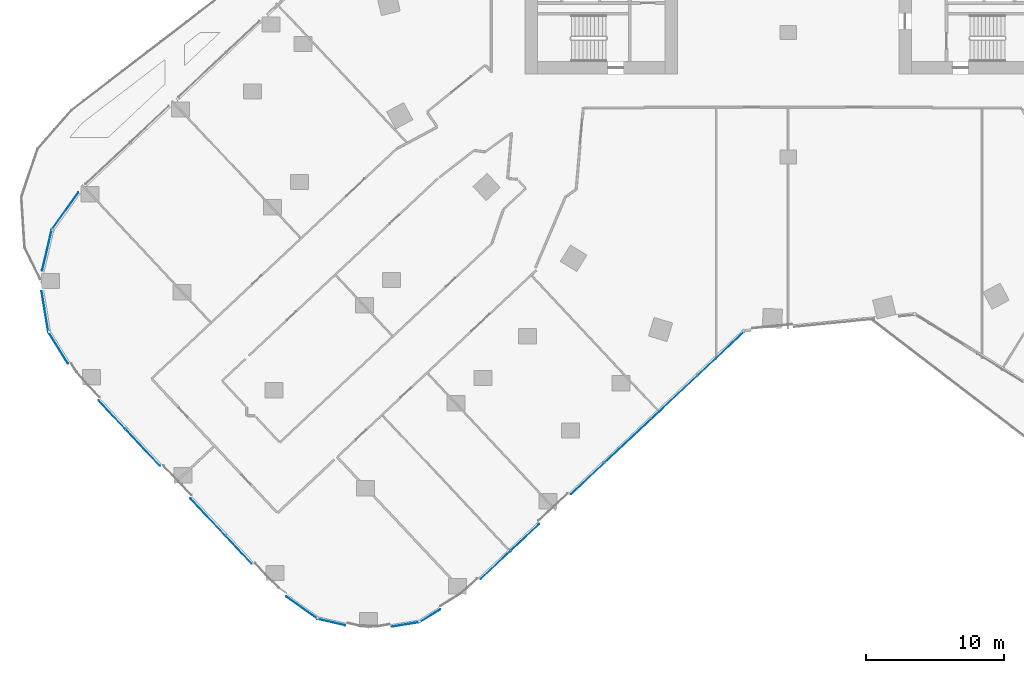
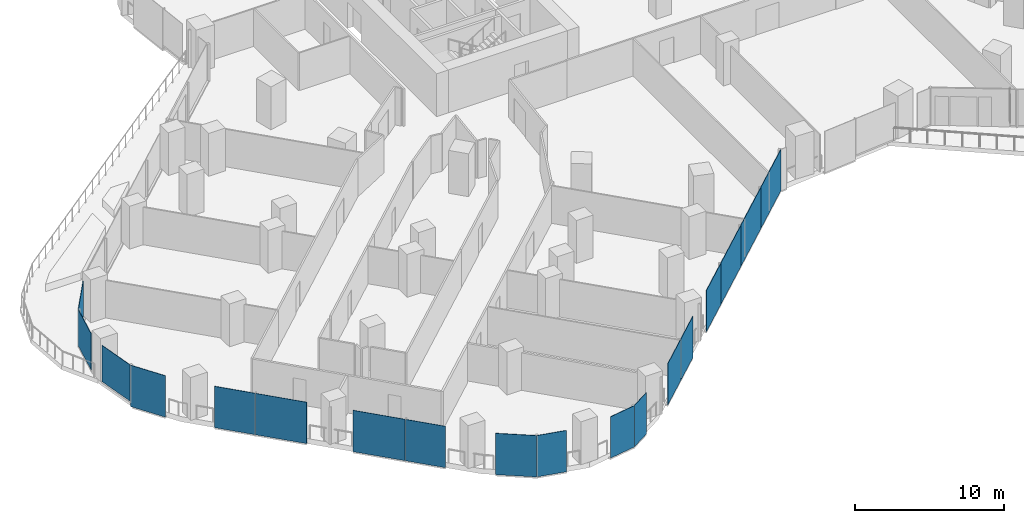
# One storey, part 16 of 34: 18 plates, 10 elements without a shape of their own.
"""IFC4 building model written with IfcOpenShell, lengths in metres."""

from ifc_helpers import new_model, si_unit, direction, frame, origin, origin_2d, place, context, subcontext, project, spatial, rectangle, extrude, material, layer, layer_set, type_object, element, aggregate, save


model = new_model("IFC4")

# Units and contexts
model_context = context("Model", 3, precision=1e-05, world=origin(), true_north=direction((0.0, 1.0)))
body_context = subcontext(model_context, "Body", "Model", "MODEL_VIEW")
ifc_project = project(units=[si_unit("LENGTHUNIT", "METRE"), si_unit("AREAUNIT", "SQUARE_METRE"), si_unit("VOLUMEUNIT", "CUBIC_METRE"), si_unit("PLANEANGLEUNIT", "RADIAN"), si_unit("MASSUNIT", "GRAM", prefix="KILO")], contexts=[model_context])

# Site, building, storey
site_placement = place(None, origin())
site = spatial("IfcSite", under=ifc_project, at=site_placement, CompositionType="ELEMENT")
building_placement = place(site_placement, origin())
building = spatial("IfcBuilding", under=site, at=building_placement, Name="Orlundy Tower", CompositionType="ELEMENT")
storey_placement = place(building_placement, frame((0.0, 0.0, 37.300048828125)))
storey = spatial("IfcBuildingStorey", under=building, at=storey_placement, Name="L07", CompositionType="ELEMENT", Elevation=37.300048828125)

# Curtain wall, plates
ifc_material_1 = material(Name="Aluminium bronze anodised", Category="aluminium")
curtain_wall_type = type_object("IfcCurtainWallType", Name="CW1 wall", PredefinedType="NOTDEFINED", material=ifc_material_1)
curtain_wall_1_placement = place(storey_placement, origin())
curtain_wall_1 = element("IfcCurtainWall", 1, at=curtain_wall_1_placement, inside=storey, type_object=curtain_wall_type, Name="CW1 run 018", PredefinedType="NOTDEFINED")
ifc_material_2 = material(Name="Tinted glass", Category="glass")
ifc_layer = layer(ifc_material_2, 0.031982421875)
ifc_layer_set = layer_set([ifc_layer], Name="CW1 glass panel 32")
plate_type = type_object("IfcPlateType", Name="CW1 glass panel 32", PredefinedType="CURTAIN_PANEL", material=ifc_layer_set)
plate_1_placement = place(storey_placement, frame((-4.837646484375, -32.18408203125, -0.300048828125), z_axis=(0.0, 0.0, 1.0), x_axis=(-0.729365455086, -0.684124281784, 0.0)))
plate_1 = element("IfcPlate", 2, at=plate_1_placement, type_object=plate_type, Name="CW1 panel", PredefinedType="CURTAIN_PANEL", context=body_context, shape_type="SweptSolid", body=[
    extrude(rectangle(XDim=4.550048828125, YDim=0.031982421875, at=origin_2d()), origin(), (0.0, 0.0, 1.0), 3.3798828125),
])
plate_2_placement = place(storey_placement, frame((-8.2041015625, -35.341552734375, -0.300048828125), z_axis=(0.0, 0.0, 1.0), x_axis=(-0.729365455086, -0.684124281784, 0.0)))
plate_2 = element("IfcPlate", 3, at=plate_2_placement, type_object=plate_type, Name="CW1 panel", PredefinedType="CURTAIN_PANEL", context=body_context, shape_type="SweptSolid", body=[
    extrude(rectangle(XDim=4.580810546875, YDim=0.031982421875, at=origin_2d()), origin(), (0.0, 0.0, 1.0), 3.3798828125),
])
plate_3_placement = place(storey_placement, frame((-11.58154296875, -38.509521484375, -0.300048828125), z_axis=(0.0, 0.0, 1.0), x_axis=(-0.729365455086, -0.684124281784, 0.0)))
plate_3 = element("IfcPlate", 4, at=plate_3_placement, type_object=plate_type, Name="CW1 panel", PredefinedType="CURTAIN_PANEL", context=body_context, shape_type="SweptSolid", body=[
    extrude(rectangle(XDim=4.580810546875, YDim=0.031982421875, at=origin_2d()), origin(), (0.0, 0.0, 1.0), 3.3798828125),
])
plate_4_placement = place(storey_placement, frame((-14.485107421875, -41.233154296875, -0.300048828125), z_axis=(0.0, 0.0, 1.0), x_axis=(-0.729365455086, -0.684124281784, 0.0)))
plate_4 = element("IfcPlate", 5, at=plate_4_placement, type_object=plate_type, Name="CW1 panel", PredefinedType="CURTAIN_PANEL", context=body_context, shape_type="SweptSolid", body=[
    extrude(rectangle(XDim=3.28125, YDim=0.031982421875, at=origin_2d()), origin(), (0.0, 0.0, 1.0), 3.3798828125),
])
plate_5_placement = place(storey_placement, frame((-18.99560546875, -45.4638671875, -0.300048828125), z_axis=(0.0, 0.0, 1.0), x_axis=(-0.729365455086, -0.684124281784, 0.0)))
plate_5 = element("IfcPlate", 6, at=plate_5_placement, type_object=plate_type, Name="CW1 panel", PredefinedType="CURTAIN_PANEL", context=body_context, shape_type="SweptSolid", body=[
    extrude(rectangle(XDim=2.7734375, YDim=0.031982421875, at=origin_2d()), origin(), (0.0, 0.0, 1.0), 3.3798828125),
])
plate_6_placement = place(storey_placement, frame((-21.123291015625, -47.45947265625, -0.300048828125), z_axis=(0.0, 0.0, 1.0), x_axis=(-0.729365455086, -0.684124281784, 0.0)))
plate_6 = element("IfcPlate", 7, at=plate_6_placement, type_object=plate_type, Name="CW1 panel", PredefinedType="CURTAIN_PANEL", context=body_context, shape_type="SweptSolid", body=[
    extrude(rectangle(XDim=2.960693359375, YDim=0.031982421875, at=origin_2d()), origin(), (0.0, 0.0, 1.0), 3.3798828125),
])
aggregate(curtain_wall_1, [plate_1, plate_2, plate_3, plate_4, plate_5, plate_6])

# Curtain wall, plate
curtain_wall_2_placement = place(storey_placement, origin())
curtain_wall_2 = element("IfcCurtainWall", 8, at=curtain_wall_2_placement, inside=storey, type_object=curtain_wall_type, Name="CW1 run 019", PredefinedType="NOTDEFINED")
plate_7_placement = place(storey_placement, frame((-25.859619140625, -51.130859375, -0.300048828125), z_axis=(0.0, 0.0, 1.0), x_axis=(-0.848951715627, -0.528470419734, 0.0)))
plate_7 = element("IfcPlate", 9, at=plate_7_placement, type_object=plate_type, Name="CW1 panel", PredefinedType="CURTAIN_PANEL", context=body_context, shape_type="SweptSolid", body=[
    extrude(rectangle(XDim=1.7509765625, YDim=0.031982421875, at=origin_2d()), origin(), (0.0, 0.0, 1.0), 3.3798828125),
])
aggregate(curtain_wall_2, [plate_7])

curtain_wall_3_placement = place(storey_placement, origin())
curtain_wall_3 = element("IfcCurtainWall", 10, at=curtain_wall_3_placement, inside=storey, type_object=curtain_wall_type, Name="CW1 run 020", PredefinedType="NOTDEFINED")
plate_8_placement = place(storey_placement, frame((-27.609375, -51.760498046875, -0.300048828125), z_axis=(0.0, 0.0, 1.0), x_axis=(-0.986495831177, -0.163786370223, 0.0)))
plate_8 = element("IfcPlate", 11, at=plate_8_placement, type_object=plate_type, Name="CW1 panel", PredefinedType="CURTAIN_PANEL", context=body_context, shape_type="SweptSolid", body=[
    extrude(rectangle(XDim=2.040283203125, YDim=0.031982421875, at=origin_2d()), origin(), (0.0, 0.0, 1.0), 3.3798828125),
])
aggregate(curtain_wall_3, [plate_8])

curtain_wall_4_placement = place(storey_placement, origin())
curtain_wall_4 = element("IfcCurtainWall", 12, at=curtain_wall_4_placement, inside=storey, type_object=curtain_wall_type, Name="CW1 run 021", PredefinedType="NOTDEFINED")
plate_9_placement = place(storey_placement, frame((-32.989990234375, -51.591552734375, -0.300048828125), z_axis=(0.0, 0.0, 1.0), x_axis=(-0.974053680026, 0.226317097073, 0.0)))
plate_9 = element("IfcPlate", 13, at=plate_9_placement, type_object=plate_type, Name="CW1 panel", PredefinedType="CURTAIN_PANEL", context=body_context, shape_type="SweptSolid", body=[
    extrude(rectangle(XDim=2.0693359375, YDim=0.031982421875, at=origin_2d()), origin(), (0.0, 0.0, 1.0), 3.3798828125),
])
aggregate(curtain_wall_4, [plate_9])

curtain_wall_5_placement = place(storey_placement, origin())
curtain_wall_5 = element("IfcCurtainWall", 14, at=curtain_wall_5_placement, inside=storey, type_object=curtain_wall_type, Name="CW1 run 022", PredefinedType="NOTDEFINED")
plate_10_placement = place(storey_placement, frame((-35.12744140625, -50.549072265625, -0.300048828125), z_axis=(0.0, 0.0, 1.0), x_axis=(-0.813204454711, 0.58197810512, 0.0)))
plate_10 = element("IfcPlate", 15, at=plate_10_placement, type_object=plate_type, Name="CW1 panel", PredefinedType="CURTAIN_PANEL", context=body_context, shape_type="SweptSolid", body=[
    extrude(rectangle(XDim=2.77783203125, YDim=0.031982421875, at=origin_2d()), origin(), (0.0, 0.0, 1.0), 3.3798828125),
])
aggregate(curtain_wall_5, [plate_10])

# Curtain wall, plates
curtain_wall_6_placement = place(storey_placement, origin())
curtain_wall_6 = element("IfcCurtainWall", 16, at=curtain_wall_6_placement, inside=storey, type_object=curtain_wall_type, Name="CW1 run 023", PredefinedType="NOTDEFINED")
plate_11_placement = place(storey_placement, frame((-39.6884765625, -46.360595703125, -0.300048828125), z_axis=(0.0, 0.0, 1.0), x_axis=(-0.684126430551, 0.729363439598, 0.0)))
plate_11 = element("IfcPlate", 17, at=plate_11_placement, type_object=plate_type, Name="CW1 panel", PredefinedType="CURTAIN_PANEL", context=body_context, shape_type="SweptSolid", body=[
    extrude(rectangle(XDim=2.773681640625, YDim=0.031982421875, at=origin_2d()), origin(), (0.0, 0.0, 1.0), 3.3798828125),
])
plate_12_placement = place(storey_placement, frame((-41.912353515625, -43.98974609375, -0.300048828125), z_axis=(0.0, 0.0, 1.0), x_axis=(-0.684126430551, 0.729363439598, 0.0)))
plate_12 = element("IfcPlate", 18, at=plate_12_placement, type_object=plate_type, Name="CW1 panel", PredefinedType="CURTAIN_PANEL", context=body_context, shape_type="SweptSolid", body=[
    extrude(rectangle(XDim=3.627685546875, YDim=0.031982421875, at=origin_2d()), origin(), (0.0, 0.0, 1.0), 3.3798828125),
])
plate_13_placement = place(storey_placement, frame((-46.598876953125, -38.993408203125, -0.300048828125), z_axis=(0.0, 0.0, 1.0), x_axis=(-0.684126430551, 0.729363439598, 0.0)))
plate_13 = element("IfcPlate", 19, at=plate_13_placement, type_object=plate_type, Name="CW1 panel", PredefinedType="CURTAIN_PANEL", context=body_context, shape_type="SweptSolid", body=[
    extrude(rectangle(XDim=3.572265625, YDim=0.031982421875, at=origin_2d()), origin(), (0.0, 0.0, 1.0), 3.3798828125),
])
plate_14_placement = place(storey_placement, frame((-48.82080078125, -36.62451171875, -0.300048828125), z_axis=(0.0, 0.0, 1.0), x_axis=(-0.684126430551, 0.729363439598, 0.0)))
plate_14 = element("IfcPlate", 20, at=plate_14_placement, type_object=plate_type, Name="CW1 panel", PredefinedType="CURTAIN_PANEL", context=body_context, shape_type="SweptSolid", body=[
    extrude(rectangle(XDim=2.8232421875, YDim=0.031982421875, at=origin_2d()), origin(), (0.0, 0.0, 1.0), 3.3798828125),
])
aggregate(curtain_wall_6, [plate_11, plate_12, plate_13, plate_14])

# Curtain wall, plate
curtain_wall_7_placement = place(storey_placement, origin())
curtain_wall_7 = element("IfcCurtainWall", 21, at=curtain_wall_7_placement, inside=storey, type_object=curtain_wall_type, Name="CW1 run 024", PredefinedType="NOTDEFINED")
plate_15_placement = place(storey_placement, frame((-52.72119140625, -31.77587890625, -0.300048828125), z_axis=(0.0, 0.0, 1.0), x_axis=(-0.528785864693, 0.848755270558, 0.0)))
plate_15 = element("IfcPlate", 22, at=plate_15_placement, type_object=plate_type, Name="CW1 panel", PredefinedType="CURTAIN_PANEL", context=body_context, shape_type="SweptSolid", body=[
    extrude(rectangle(XDim=2.667236328125, YDim=0.031982421875, at=origin_2d()), origin(), (0.0, 0.0, 1.0), 3.3798828125),
])
aggregate(curtain_wall_7, [plate_15])

curtain_wall_8_placement = place(storey_placement, origin())
curtain_wall_8 = element("IfcCurtainWall", 23, at=curtain_wall_8_placement, inside=storey, type_object=curtain_wall_type, Name="CW1 run 025", PredefinedType="NOTDEFINED")
plate_16_placement = place(storey_placement, frame((-53.670654296875, -29.17041015625, 0.119873046875), z_axis=(0.0, 0.0, 1.0), x_axis=(-0.163480241914, 0.986546608379, 0.0)))
plate_16 = element("IfcPlate", 24, at=plate_16_placement, type_object=plate_type, Name="CW1 panel", PredefinedType="CURTAIN_PANEL", context=body_context, shape_type="SweptSolid", body=[
    extrude(rectangle(XDim=2.9873046875, YDim=0.031982421875, at=origin_2d()), origin(), (0.0, 0.0, 1.0), 2.9599609375),
])
aggregate(curtain_wall_8, [plate_16])

curtain_wall_9_placement = place(storey_placement, origin())
curtain_wall_9 = element("IfcCurtainWall", 25, at=curtain_wall_9_placement, inside=storey, type_object=curtain_wall_type, Name="CW1 run 026", PredefinedType="NOTDEFINED")
plate_17_placement = place(storey_placement, frame((-53.531982421875, -24.72265625, 0.119873046875), z_axis=(0.0, 0.0, 1.0), x_axis=(0.226317097073, 0.974053680026, 0.0)))
plate_17 = element("IfcPlate", 26, at=plate_17_placement, type_object=plate_type, Name="CW1 panel", PredefinedType="CURTAIN_PANEL", context=body_context, shape_type="SweptSolid", body=[
    extrude(rectangle(XDim=3.02734375, YDim=0.031982421875, at=origin_2d()), origin(), (0.0, 0.0, 1.0), 2.9599609375),
])
aggregate(curtain_wall_9, [plate_17])

curtain_wall_10_placement = place(storey_placement, origin())
curtain_wall_10 = element("IfcCurtainWall", 27, at=curtain_wall_10_placement, inside=storey, type_object=curtain_wall_type, Name="CW1 run 027", PredefinedType="NOTDEFINED")
plate_18_placement = place(storey_placement, frame((-52.230224609375, -21.90771484375, 0.119873046875), z_axis=(0.0, 0.0, 1.0), x_axis=(0.58197810512, 0.813204454711, 0.0)))
plate_18 = element("IfcPlate", 28, at=plate_18_placement, type_object=plate_type, Name="CW1 panel", PredefinedType="CURTAIN_PANEL", context=body_context, shape_type="SweptSolid", body=[
    extrude(rectangle(XDim=3.29638671875, YDim=0.031982421875, at=origin_2d()), origin(), (0.0, 0.0, 1.0), 2.9599609375),
])
aggregate(curtain_wall_10, [plate_18])

save(model, "model.ifc")
